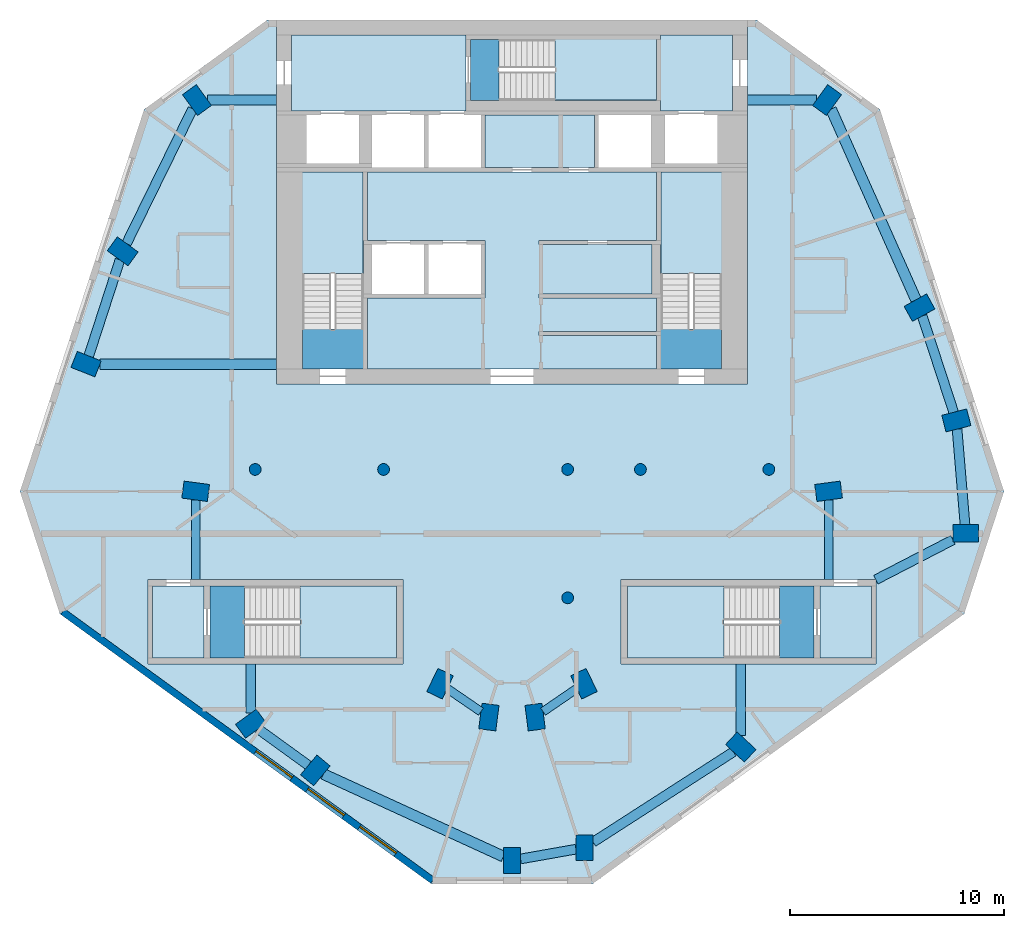
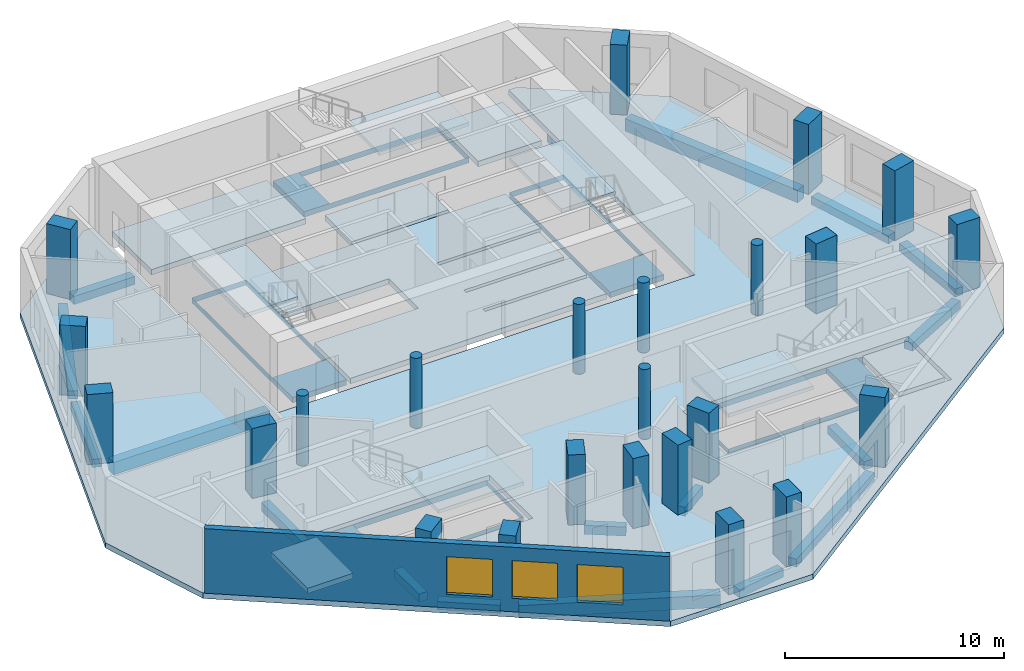
# One storey, part 1 of 8: 24 columns, 19 beams, 17 slabs, 3 windows, 1 wall, 3 openings, 5 elements without a shape of their own.
"""IFC4 building model written with IfcOpenShell, lengths in metres."""

from ifc_helpers import new_model, si_unit, direction, frame, frame_2d, origin, origin_2d, place, context, subcontext, project, spatial, polyline, rectangle, circle, outline, extrude, material, layer, layer_set, material_profile, profile_set, type_object, element, fill, aggregate, save


model = new_model("IFC4")

# Units and contexts
model_context = context("Model", 3, precision=1e-05, world=origin(), true_north=direction((0.0, 1.0)))
body_context = subcontext(model_context, "Body", "Model", "MODEL_VIEW")
ifc_project = project(units=[si_unit("LENGTHUNIT", "METRE"), si_unit("AREAUNIT", "SQUARE_METRE"), si_unit("VOLUMEUNIT", "CUBIC_METRE"), si_unit("PLANEANGLEUNIT", "RADIAN"), si_unit("MASSUNIT", "GRAM", prefix="KILO")], contexts=[model_context])

# Site, building, storey
site_placement = place(None, origin())
site = spatial("IfcSite", under=ifc_project, at=site_placement, CompositionType="ELEMENT")
building_placement = place(site_placement, origin())
building = spatial("IfcBuilding", under=site, at=building_placement, Name="White Candle Pilgrim Tower", CompositionType="ELEMENT")
storey_placement = place(building_placement, frame((0.0, 0.0, 291.199951171875)))
storey = spatial("IfcBuildingStorey", under=building, at=storey_placement, Name="L69", CompositionType="ELEMENT", Elevation=291.199951171875)

# Columns
ifc_material_1 = material(Name="Concrete C60/75", Category="concrete")
ifc_material_profile_1 = material_profile(ifc_material_1, circle(Radius=0.27490234375, at=origin_2d()), Name="RC-COL D550")
ifc_profile_set_1 = profile_set([ifc_material_profile_1], Name="Concrete C60/75")
column_type_1 = type_object("IfcColumnType", Name="Interior column RC-COL D550 C60/75", PredefinedType="COLUMN", material=ifc_profile_set_1)
for number, where, z_axis, x_axis, name in (
    (1, (58.0, 67.0, 0.0), (0.0, 0.0, 1.0), (1.0, 0.0, 0.0), "L69 column I01"),
    (2, (64.0, 67.0, 0.0), (0.0, 0.0, 1.0), (1.0, 0.0, 0.0), "L69 column I02"),
    (3, (72.60009765625, 61.0, 0.0), (0.0, 0.0, 1.0), (1.0, 0.0, 0.0), "L69 column I03"),
    (4, (72.60009765625, 67.0, 0.0), (0.0, 0.0, 1.0), (1.0, 0.0, 0.0), "L69 column I04"),
    (5, (76.0, 67.0, 0.0), (0.0, 0.0, 1.0), (1.0, 0.0, 0.0), "L69 column I05"),
    (6, (82.0, 67.0, 0.0), (0.0, 0.0, 1.0), (1.0, 0.0, 0.0), "L69 column I06"),
):
    element("IfcColumn", number, at=place(storey_placement, frame(where, z_axis=z_axis, x_axis=x_axis)), inside=storey, type_object=column_type_1, Name=name, PredefinedType="COLUMN", context=body_context, shape_type="SweptSolid", body=[
        extrude(circle(Radius=0.27490234375, at=origin_2d()), origin(), (0.0, 0.0, 1.0), 3.900146484375),
    ])
ifc_material_profile_2 = material_profile(ifc_material_1, rectangle(XDim=0.800048828125, YDim=1.199951171875, at=origin_2d()), Name="RC-PR 800x1200")
ifc_profile_set_2 = profile_set([ifc_material_profile_2], Name="Concrete C60/75")
column_type_2 = type_object("IfcColumnType", Name="Perimeter column RC-PR 800x1200 C60/75", PredefinedType="COLUMN", material=ifc_profile_set_2)
for number, where, z_axis, x_axis, name in (
    (7, (57.800048828125, 55.1201171875, 0.0), (0.0, 0.0, 1.0), (-0.58846280644, 0.808524288711, 0.0), "L69 column T01"),
    (8, (60.81005859375, 52.93994140625, 0.0), (0.0, 0.0, 1.0), (-0.769310358735, 0.638875239733, 0.0), "L69 column T02"),
    (9, (70.0, 48.72998046875, 0.0), (0.0, 0.0, 1.0), (-1.0, 0.0, 0.0), "L69 column T03"),
    (10, (73.389892578125, 49.330078125, 0.0), (0.0, 0.0, 1.0), (-1.0, 0.0, 0.0), "L69 column T04"),
    (11, (80.68994140625, 54.030029296875, 0.0), (0.0, 0.0, 1.0), (-0.681998360062, -0.731353701619, 0.0), "L69 column T05"),
    (12, (91.199951171875, 64.02001953125, 0.0), (0.0, 0.0, 1.0), (0.000855211229, -0.999999634307, 0.0), "L69 column T06"),
    (13, (90.760009765625, 69.2900390625, 0.0), (0.0, 0.0, 1.0), (0.246880623275, -0.969045900797, 0.0), "L69 column T07"),
    (14, (89.0400390625, 74.56005859375, 0.0), (0.0, 0.0, 1.0), (0.484809620246, -0.874619707139, 0.0), "L69 column T08"),
    (15, (84.719970703125, 84.260009765625, 0.0), (0.0, 0.0, 1.0), (0.80902725304, -0.587771132193, 0.0), "L69 column T09"),
    (16, (55.280029296875, 84.260009765625, 0.0), (0.0, 0.0, 1.0), (0.80902725304, 0.587771132193, 0.0), "L69 column T10"),
    (17, (51.81005859375, 77.18994140625, 0.0), (0.0, 0.0, 1.0), (0.587107285614, 0.809509132239, 0.0), "L69 column T11"),
    (18, (50.10009765625, 71.919921875, 0.0), (0.0, 0.0, 1.0), (0.369860269472, 0.929087391512, 0.0), "L69 column T12"),
):
    element("IfcColumn", number, at=place(storey_placement, frame(where, z_axis=z_axis, x_axis=x_axis)), inside=storey, type_object=column_type_2, Name=name, PredefinedType="COLUMN", context=body_context, shape_type="SweptSolid", body=[
        extrude(rectangle(XDim=0.800048828125, YDim=1.199951171875, at=origin_2d()), origin(), (0.0, 0.0, 1.0), 3.900146484375),
    ])
ifc_material_profile_3 = material_profile(ifc_material_1, rectangle(XDim=0.800048828125, YDim=1.199951171875, at=origin_2d()), Name="RC-PR 800x1200")
ifc_profile_set_3 = profile_set([ifc_material_profile_3], Name="Concrete C60/75")
column_type_3 = type_object("IfcColumnType", Name="Ring column RC-PR 800x1200 C60/75", PredefinedType="COLUMN", material=ifc_profile_set_3)
for number, where, z_axis, x_axis, name in (
    (19, (66.639892578125, 56.989990234375, 0.0), (0.0, 0.0, 1.0), (-0.901689191761, 0.43238478403, 0.0), "L69 column R01"),
    (20, (68.919921875, 55.429931640625, 0.0), (0.0, 0.0, 1.0), (-0.992092811428, 0.125506388335, 0.0), "L69 column R02"),
    (21, (71.080078125, 55.429931640625, 0.0), (0.0, 0.0, 1.0), (-0.992092811428, -0.125506388335, 0.0), "L69 column R03"),
    (22, (73.360107421875, 56.989990234375, 0.0), (0.0, 0.0, 1.0), (-0.901689191761, -0.43238478403, 0.0), "L69 column R04"),
    (23, (84.7900390625, 65.97998046875, 0.0), (0.0, 0.0, 1.0), (0.132602381688, -0.991169313675, 0.0), "L69 column R05"),
    (24, (55.219970703125, 65.97998046875, 0.0), (0.0, 0.0, 1.0), (0.132602381688, 0.991169313675, 0.0), "L69 column R06"),
):
    element("IfcColumn", number, at=place(storey_placement, frame(where, z_axis=z_axis, x_axis=x_axis)), inside=storey, type_object=column_type_3, Name=name, PredefinedType="COLUMN", context=body_context, shape_type="SweptSolid", body=[
        extrude(rectangle(XDim=0.800048828125, YDim=1.199951171875, at=origin_2d()), origin(), (0.0, 0.0, 1.0), 3.900146484375),
    ])

# Beams
ifc_material_2 = material(Name="Concrete C50/60", Category="concrete")
ifc_material_profile_4 = material_profile(ifc_material_2, rectangle(XDim=0.39990234375, YDim=0.5, at=origin_2d()), Name="RC-BM 400x500")
ifc_profile_set_4 = profile_set([ifc_material_profile_4], Name="Concrete C50/60")
beam_type_1 = type_object("IfcBeamType", Name="Ring beam RC-BM 400x500 C50/60", PredefinedType="BEAM", material=ifc_profile_set_4)
for number, where, z_axis, x_axis, name in (
    (25, (66.97412109375, 56.761474609375, -0.550048828125), (0.825257044892, -0.564757301729, 0.0), (0.564757301729, 0.825257044892, 0.0), "L69 ring beam R01"),
    (26, (71.451171875, 55.683837890625, -0.550048828125), (0.825257044892, 0.564757301729, 0.0), (-0.564757301729, 0.825257044892, 0.0), "L69 ring beam R02"),
):
    element("IfcBeam", number, at=place(storey_placement, frame(where, z_axis=z_axis, x_axis=x_axis)), inside=storey, type_object=beam_type_1, Name=name, PredefinedType="BEAM", context=body_context, shape_type="SweptSolid", body=[
        extrude(rectangle(XDim=0.39990234375, YDim=0.5, at=origin_2d()), origin(), (0.0, 0.0, 1.0), 1.908203125),
    ])
for number, where, z_axis, x_axis, name in (
    (27, (84.7900390625, 65.576416015625, -0.550048828125), (0.0, -1.0, 0.0), (1.0, 0.0, 0.0), "L69 ring beam R03"),
    (28, (55.219970703125, 65.576416015625, -0.550048828125), (0.0, -1.0, 0.0), (1.0, 0.0, 0.0), "L69 ring beam R04"),
):
    element("IfcBeam", number, at=place(storey_placement, frame(where, z_axis=z_axis, x_axis=x_axis)), inside=storey, type_object=beam_type_1, Name=name, PredefinedType="BEAM", context=body_context, shape_type="SweptSolid", body=[
        extrude(rectangle(XDim=0.39990234375, YDim=0.5, at=origin_2d()), origin(), (0.0, 0.0, 1.0), 3.726318359375),
    ])
ifc_material_profile_5 = material_profile(ifc_material_2, rectangle(XDim=0.449951171875, YDim=0.449951171875, at=origin_2d()), Name="RC-BM 450x450")
ifc_profile_set_5 = profile_set([ifc_material_profile_5], Name="Concrete C50/60")
beam_type_2 = type_object("IfcBeamType", Name="Spandrel beam RC-BM 450x450 C50/60", PredefinedType="BEAM", material=ifc_profile_set_5)
beam_1_placement = place(storey_placement, frame((58.140625, 54.873291015625, -0.52490234375), z_axis=(0.809886863982, -0.586586112647, 0.0), x_axis=(0.586586112647, 0.809886863982, 0.0)))
element("IfcBeam", 29, at=beam_1_placement, inside=storey, type_object=beam_type_2, Name="L69 spandrel beam T01", PredefinedType="BEAM", context=body_context, shape_type="SweptSolid", body=[
    extrude(rectangle(XDim=0.449951171875, YDim=0.449951171875, at=origin_2d()), origin(), (0.0, 0.0, 1.0), 2.89501953125),
])
beam_2_placement = place(storey_placement, frame((70.39990234375, 48.80078125, -0.52490234375), z_axis=(0.984690914207, 0.174309504843, 0.0), x_axis=(-0.174309504843, 0.984690914207, 0.0)))
element("IfcBeam", 30, at=beam_2_placement, inside=storey, type_object=beam_type_2, Name="L69 spandrel beam T03", PredefinedType="BEAM", context=body_context, shape_type="SweptSolid", body=[
    extrude(rectangle(XDim=0.449951171875, YDim=0.449951171875, at=origin_2d()), origin(), (0.0, 0.0, 1.0), 2.63037109375),
])
beam_3_placement = place(storey_placement, frame((73.7900390625, 49.58740234375, -0.52490234375), z_axis=(0.840792523654, 0.541357490175, 0.0), x_axis=(-0.541357490175, 0.840792523654, 0.0)))
element("IfcBeam", 31, at=beam_3_placement, inside=storey, type_object=beam_type_2, Name="L69 spandrel beam T04", PredefinedType="BEAM", context=body_context, shape_type="SweptSolid", body=[
    extrude(rectangle(XDim=0.449951171875, YDim=0.449951171875, at=origin_2d()), origin(), (0.0, 0.0, 1.0), 7.793701171875),
])
beam_4_placement = place(storey_placement, frame((80.68994140625, 54.576904296875, -0.52490234375), z_axis=(0.0, 1.0, 0.0), x_axis=(-1.0, 0.0, 0.0)))
element("IfcBeam", 32, at=beam_4_placement, inside=storey, type_object=beam_type_2, Name="L69 spandrel beam T05", PredefinedType="BEAM", context=body_context, shape_type="SweptSolid", body=[
    extrude(rectangle(XDim=0.449951171875, YDim=0.449951171875, at=origin_2d()), origin(), (0.0, 0.0, 1.0), 3.322998046875),
])
beam_5_placement = place(storey_placement, frame((90.600341796875, 63.710205078125, -0.52490234375), z_axis=(-0.888432867753, -0.459006578925, 0.0), x_axis=(0.459006578925, -0.888432867753, 0.0)))
element("IfcBeam", 33, at=beam_5_placement, inside=storey, type_object=beam_type_2, Name="L69 spandrel beam T06", PredefinedType="BEAM", context=body_context, shape_type="SweptSolid", body=[
    extrude(rectangle(XDim=0.449951171875, YDim=0.449951171875, at=origin_2d()), origin(), (0.0, 0.0, 1.0), 4.052490234375),
])
beam_6_placement = place(storey_placement, frame((91.16650390625, 64.419921875, -0.52490234375), z_axis=(-0.083189754962, 0.996533724803, 0.0), x_axis=(-0.996533724803, -0.083189754962, 0.0)))
element("IfcBeam", 34, at=beam_6_placement, inside=storey, type_object=beam_type_2, Name="L69 spandrel beam T07", PredefinedType="BEAM", context=body_context, shape_type="SweptSolid", body=[
    extrude(rectangle(XDim=0.449951171875, YDim=0.449951171875, at=origin_2d()), origin(), (0.0, 0.0, 1.0), 4.4814453125),
])
beam_7_placement = place(storey_placement, frame((90.635498046875, 69.671142578125, -0.52490234375), z_axis=(-0.310235376741, 0.950659776691, 0.0), x_axis=(-0.950659776691, -0.310235376741, 0.0)))
element("IfcBeam", 35, at=beam_7_placement, inside=storey, type_object=beam_type_2, Name="L69 spandrel beam T08", PredefinedType="BEAM", context=body_context, shape_type="SweptSolid", body=[
    extrude(rectangle(XDim=0.449951171875, YDim=0.449951171875, at=origin_2d()), origin(), (0.0, 0.0, 1.0), 4.735107421875),
])
for number, where, z_axis, x_axis, name in (
    (36, (84.2255859375, 84.260009765625, -0.52490234375), (-1.0, 0.0, 0.0), (0.0, -1.0, 0.0), "L69 spandrel beam T10"),
    (37, (55.7744140625, 84.260009765625, -0.52490234375), (1.0, 0.0, 0.0), (0.0, 1.0, 0.0), "L69 spandrel beam T11"),
):
    element("IfcBeam", number, at=place(storey_placement, frame(where, z_axis=z_axis, x_axis=x_axis)), inside=storey, type_object=beam_type_2, Name=name, PredefinedType="BEAM", context=body_context, shape_type="SweptSolid", body=[
        extrude(rectangle(XDim=0.449951171875, YDim=0.449951171875, at=origin_2d()), origin(), (0.0, 0.0, 1.0), 3.2255859375),
    ])
beam_8_placement = place(storey_placement, frame((55.080810546875, 83.853759765625, -0.52490234375), z_axis=(-0.440604884501, -0.897701139441, 0.0), x_axis=(0.897701139441, -0.440604884501, 0.0)))
element("IfcBeam", 38, at=beam_8_placement, inside=storey, type_object=beam_type_2, Name="L69 spandrel beam T12", PredefinedType="BEAM", context=body_context, shape_type="SweptSolid", body=[
    extrude(rectangle(XDim=0.449951171875, YDim=0.449951171875, at=origin_2d()), origin(), (0.0, 0.0, 1.0), 7.01708984375),
])
beam_9_placement = place(storey_placement, frame((51.68017578125, 76.7900390625, -0.52490234375), z_axis=(-0.308643859688, -0.95117767419, 0.0), x_axis=(0.95117767419, -0.308643859688, 0.0)))
element("IfcBeam", 39, at=beam_9_placement, inside=storey, type_object=beam_type_2, Name="L69 spandrel beam T13", PredefinedType="BEAM", context=body_context, shape_type="SweptSolid", body=[
    extrude(rectangle(XDim=0.449951171875, YDim=0.449951171875, at=origin_2d()), origin(), (0.0, 0.0, 1.0), 4.71923828125),
])
beam_10_placement = place(storey_placement, frame((57.800048828125, 55.61474609375, -0.52490234375), z_axis=(0.0, 1.0, 0.0), x_axis=(-1.0, 0.0, 0.0)))
element("IfcBeam", 40, at=beam_10_placement, inside=storey, type_object=beam_type_2, Name="L69 spandrel beam T15", PredefinedType="BEAM", context=body_context, shape_type="SweptSolid", body=[
    extrude(rectangle(XDim=0.449951171875, YDim=0.449951171875, at=origin_2d()), origin(), (0.0, 0.0, 1.0), 2.28515625),
])
ifc_material_profile_6 = material_profile(ifc_material_2, rectangle(XDim=0.5, YDim=0.699951171875, at=origin_2d()), Name="RC-BM 500x700")
ifc_profile_set_6 = profile_set([ifc_material_profile_6], Name="Concrete C50/60")
beam_type_3 = type_object("IfcBeamType", Name="Spandrel beam RC-BM 500x700 C50/60", PredefinedType="BEAM", material=ifc_profile_set_6)
beam_11_placement = place(storey_placement, frame((61.186767578125, 52.767578125, -0.64990234375), z_axis=(0.90913101106, -0.416510269656, 0.0), x_axis=(0.416510269656, 0.90913101106, 0.0)))
element("IfcBeam", 41, at=beam_11_placement, inside=storey, type_object=beam_type_3, Name="L69 spandrel beam T02", PredefinedType="BEAM", context=body_context, shape_type="SweptSolid", body=[
    extrude(rectangle(XDim=0.5, YDim=0.699951171875, at=origin_2d()), origin(), (0.0, 0.0, 1.0), 9.254150390625),
])
beam_12_placement = place(storey_placement, frame((88.876708984375, 74.9267578125, -0.64990234375), z_axis=(-0.406834969126, 0.913501673724, 0.0), x_axis=(-0.913501673724, -0.406834969126, 0.0)))
element("IfcBeam", 42, at=beam_12_placement, inside=storey, type_object=beam_type_3, Name="L69 spandrel beam T09", PredefinedType="BEAM", context=body_context, shape_type="SweptSolid", body=[
    extrude(rectangle(XDim=0.5, YDim=0.699951171875, at=origin_2d()), origin(), (0.0, 0.0, 1.0), 9.755126953125),
])
beam_13_placement = place(storey_placement, frame((50.745849609375, 71.919921875, -0.64990234375), z_axis=(1.0, 0.0, 0.0), x_axis=(0.0, 1.0, 0.0)))
element("IfcBeam", 43, at=beam_13_placement, inside=storey, type_object=beam_type_3, Name="L69 spandrel beam T14", PredefinedType="BEAM", context=body_context, shape_type="SweptSolid", body=[
    extrude(rectangle(XDim=0.5, YDim=0.699951171875, at=origin_2d()), origin(), (0.0, 0.0, 1.0), 8.254150390625),
])

# Slabs
ifc_material_3 = material(Name="Concrete C40/50", Category="concrete")
ifc_layer_1 = layer(ifc_material_3, 0.300048828125)
ifc_layer_set_1 = layer_set([ifc_layer_1], Name="Core floor slab 300 mm Concrete C40/50")
slab_type_1 = type_object("IfcSlabType", Name="Core floor slab 300 mm Concrete C40/50", PredefinedType="FLOOR", material=ifc_layer_set_1)
slab_1_placement = place(storey_placement, frame((0.0, 0.0, -0.300048828125)))
element("IfcSlab", 44, at=slab_1_placement, inside=storey, type_object=slab_type_1, Name="CF-L69-01", PredefinedType="FLOOR", context=body_context, shape_type="SweptSolid", body=[
    extrude(outline(polyline([(55.60009765625, 58.199951171875), (53.199951171875, 58.199951171875), (53.199951171875, 61.550048828125), (55.60009765625, 61.550048828125), (55.60009765625, 58.199951171875)])), origin(), (0.0, 0.0, 1.0), 0.300048828125),
])
slab_2_placement = place(storey_placement, frame((0.0, 0.0, -0.300048828125)))
element("IfcSlab", 45, at=slab_2_placement, inside=storey, type_object=slab_type_1, Name="CF-L69-02", PredefinedType="FLOOR", context=body_context, shape_type="SweptSolid", body=[
    extrude(outline(polyline([(55.89990234375, 58.199951171875), (55.89990234375, 61.550048828125), (64.60009765625, 61.550048828125), (64.60009765625, 58.199951171875), (55.89990234375, 58.199951171875)]), holes=[polyline([(57.501953125, 61.548095703125), (57.501953125, 58.201904296875), (64.597900390625, 58.201904296875), (64.597900390625, 61.548095703125), (57.501953125, 61.548095703125)])]), origin(), (0.0, 0.0, 1.0), 0.300048828125),
])
slab_3_placement = place(storey_placement, frame((0.0, 0.0, -0.300048828125)))
element("IfcSlab", 46, at=slab_3_placement, inside=storey, type_object=slab_type_1, Name="CF-L69-03", PredefinedType="FLOOR", context=body_context, shape_type="SweptSolid", body=[
    extrude(outline(polyline([(75.39990234375, 58.199951171875), (75.39990234375, 61.550048828125), (84.10009765625, 61.550048828125), (84.10009765625, 58.199951171875), (75.39990234375, 58.199951171875)]), holes=[polyline([(82.498046875, 61.548095703125), (75.402099609375, 61.548095703125), (75.402099609375, 58.201904296875), (82.498046875, 58.201904296875), (82.498046875, 61.548095703125)])]), origin(), (0.0, 0.0, 1.0), 0.300048828125),
])
slab_4_placement = place(storey_placement, frame((0.0, 0.0, -0.300048828125)))
element("IfcSlab", 47, at=slab_4_placement, inside=storey, type_object=slab_type_1, Name="CF-L69-04", PredefinedType="FLOOR", context=body_context, shape_type="SweptSolid", body=[
    extrude(outline(polyline([(86.800048828125, 58.199951171875), (84.39990234375, 58.199951171875), (84.39990234375, 61.550048828125), (86.800048828125, 61.550048828125), (86.800048828125, 58.199951171875)])), origin(), (0.0, 0.0, 1.0), 0.300048828125),
])
slab_5_placement = place(storey_placement, frame((0.0, 0.0, -0.300048828125)))
element("IfcSlab", 48, at=slab_5_placement, inside=storey, type_object=slab_type_1, Name="CF-L69-05", PredefinedType="FLOOR", context=body_context, shape_type="SweptSolid", body=[
    extrude(outline(polyline([(76.949951171875, 71.699951171875), (76.949951171875, 73.25), (76.949951171875, 73.449951171875), (76.949951171875, 75.0), (76.949951171875, 75.199951171875), (76.949951171875, 77.5), (76.949951171875, 77.699951171875), (76.949951171875, 80.89990234375), (79.800048828125, 80.89990234375), (79.800048828125, 71.699951171875), (76.949951171875, 71.699951171875)]), holes=[polyline([(76.951904296875, 73.552001953125), (79.798095703125, 73.552001953125), (79.798095703125, 80.89794921875), (76.951904296875, 80.89794921875), (76.951904296875, 73.552001953125)])]), origin(), (0.0, 0.0, 1.0), 0.300048828125),
])
slab_6_placement = place(storey_placement, frame((0.0, 0.0, -0.300048828125)))
element("IfcSlab", 49, at=slab_6_placement, inside=storey, type_object=slab_type_1, Name="CF-L69-06", PredefinedType="FLOOR", context=body_context, shape_type="SweptSolid", body=[
    extrude(outline(polyline([(63.25, 71.699951171875), (63.25, 75.0), (68.75, 75.0), (68.75, 75.199951171875), (68.75, 77.5), (68.75, 77.699951171875), (63.25, 77.699951171875), (63.25, 80.89990234375), (76.75, 80.89990234375), (76.75, 77.699951171875), (71.25, 77.699951171875), (71.25, 77.5), (76.550048828125, 77.5), (76.550048828125, 75.199951171875), (71.25, 75.199951171875), (71.25, 75.0), (76.75, 75.0), (76.75, 73.449951171875), (71.25, 73.449951171875), (71.25, 73.25), (76.75, 73.25), (76.75, 71.699951171875), (63.25, 71.699951171875)])), origin(), (0.0, 0.0, 1.0), 0.300048828125),
])
slab_7_placement = place(storey_placement, frame((0.0, 0.0, -0.300048828125)))
element("IfcSlab", 50, at=slab_7_placement, inside=storey, type_object=slab_type_1, Name="CF-L69-07", PredefinedType="FLOOR", context=body_context, shape_type="SweptSolid", body=[
    extrude(outline(polyline([(60.199951171875, 71.699951171875), (60.199951171875, 80.89990234375), (63.050048828125, 80.89990234375), (63.050048828125, 77.699951171875), (63.050048828125, 77.5), (63.050048828125, 75.199951171875), (63.050048828125, 75.0), (63.050048828125, 71.699951171875), (60.199951171875, 71.699951171875)]), holes=[polyline([(60.201904296875, 73.552001953125), (63.048095703125, 73.552001953125), (63.048095703125, 80.89794921875), (60.201904296875, 80.89794921875), (60.201904296875, 73.552001953125)])]), origin(), (0.0, 0.0, 1.0), 0.300048828125),
])
slab_8_placement = place(storey_placement, frame((0.0, 0.0, -0.300048828125)))
element("IfcSlab", 51, at=slab_8_placement, inside=storey, type_object=slab_type_1, Name="CF-L69-08", PredefinedType="FLOOR", context=body_context, shape_type="SweptSolid", body=[
    extrude(outline(polyline([(59.699951171875, 87.300048828125), (67.85009765625, 87.300048828125), (67.85009765625, 87.10009765625), (67.85009765625, 84.25), (67.85009765625, 83.75), (59.699951171875, 83.75), (59.699951171875, 87.300048828125)])), origin(), (0.0, 0.0, 1.0), 0.300048828125),
])
slab_9_placement = place(storey_placement, frame((0.0, 0.0, -0.300048828125)))
element("IfcSlab", 52, at=slab_9_placement, inside=storey, type_object=slab_type_1, Name="CF-L69-09", PredefinedType="FLOOR", context=body_context, shape_type="SweptSolid", body=[
    extrude(outline(polyline([(80.300048828125, 87.300048828125), (80.300048828125, 83.75), (76.949951171875, 83.75), (76.949951171875, 84.25), (76.949951171875, 87.10009765625), (76.949951171875, 87.300048828125), (80.300048828125, 87.300048828125)])), origin(), (0.0, 0.0, 1.0), 0.300048828125),
])
slab_10_placement = place(storey_placement, frame((0.0, 0.0, -0.300048828125)))
element("IfcSlab", 53, at=slab_10_placement, inside=storey, type_object=slab_type_1, Name="CF-L69-10", PredefinedType="FLOOR", context=body_context, shape_type="SweptSolid", body=[
    extrude(outline(polyline([(68.75, 81.10009765625), (68.75, 83.550048828125), (73.85009765625, 83.550048828125), (73.85009765625, 81.10009765625), (68.75, 81.10009765625)])), origin(), (0.0, 0.0, 1.0), 0.300048828125),
])
slab_11_placement = place(storey_placement, frame((0.0, 0.0, -0.300048828125)))
element("IfcSlab", 54, at=slab_11_placement, inside=storey, type_object=slab_type_1, Name="CF-L69-11", PredefinedType="FLOOR", context=body_context, shape_type="SweptSolid", body=[
    extrude(outline(polyline([(68.050048828125, 87.10009765625), (76.75, 87.10009765625), (76.75, 84.25), (68.050048828125, 84.25), (68.050048828125, 87.10009765625)]), holes=[polyline([(69.402099609375, 84.251953125), (76.748046875, 84.251953125), (76.748046875, 87.097900390625), (69.402099609375, 87.097900390625), (69.402099609375, 84.251953125)])]), origin(), (0.0, 0.0, 1.0), 0.300048828125),
])
ifc_layer_2 = layer(ifc_material_3, 0.300048828125)
ifc_layer_set_2 = layer_set([ifc_layer_2], Name="Floor slab 300 REI 120")
slab_type_2 = type_object("IfcSlabType", Name="Floor slab 300 REI 120", PredefinedType="FLOOR", material=ifc_layer_set_2)
slab_12_placement = place(storey_placement, frame((0.0, 0.0, -0.300048828125)))
element("IfcSlab", 55, at=slab_12_placement, inside=storey, type_object=slab_type_2, Name="L69 floor slab", PredefinedType="FLOOR", context=body_context, shape_type="SweptSolid", body=[
    extrude(outline(polyline([(66.242919921875, 47.6337890625), (73.757080078125, 47.6337890625), (91.129638671875, 60.255859375), (92.98779296875, 65.974853515625), (87.189453125, 83.82080078125), (81.43701171875, 88.0), (81.0, 88.0), (81.0, 71.0), (59.0, 71.0), (59.0, 88.0), (58.56298828125, 88.0), (52.810546875, 83.82080078125), (47.01220703125, 65.974853515625), (48.870361328125, 60.255859375), (66.242919921875, 47.6337890625)]), holes=[polyline([(53.0, 57.89990234375), (53.0, 61.85009765625), (64.89990234375, 61.85009765625), (64.89990234375, 57.89990234375), (53.0, 57.89990234375)]), polyline([(75.10009765625, 57.89990234375), (75.10009765625, 61.85009765625), (87.0, 61.85009765625), (87.0, 57.89990234375), (75.10009765625, 57.89990234375)])]), origin(), (0.0, 0.0, 1.0), 0.300048828125),
])

# Stair, slab
stair_type_1 = type_object("IfcStairType", Name="Exit stair 1 flight width 1350 mm", PredefinedType="HALF_TURN_STAIR", material=ifc_material_3)
stair_1_placement = place(storey_placement, origin())
stair_1 = element("IfcStair", 56, at=stair_1_placement, inside=storey, type_object=stair_type_1, Name="L69 stair 1", PredefinedType="NOTDEFINED")
ifc_layer_3 = layer(ifc_material_3, 0.199951171875)
ifc_layer_set_3 = layer_set([ifc_layer_3], Name="Stair landing Concrete C40/50")
slab_type_3 = type_object("IfcSlabType", Name="Stair landing Concrete C40/50", PredefinedType="LANDING", material=ifc_layer_set_3)
slab_13_placement = place(storey_placement, frame((0.0, 0.0, 1.75)))
slab_13 = element("IfcSlab", 57, at=slab_13_placement, type_object=slab_type_3, Name="ST1 landing 1", PredefinedType="LANDING", context=body_context, shape_type="SweptSolid", body=[
    extrude(outline(polyline([(63.052001953125, 76.14794921875), (60.197998046875, 76.14794921875), (60.197998046875, 80.902099609375), (63.052001953125, 80.902099609375), (63.052001953125, 76.14794921875)])), origin(), (0.0, 0.0, 1.0), 0.199951171875),
])
aggregate(stair_1, [slab_13])

stair_type_2 = type_object("IfcStairType", Name="Exit stair 2 flight width 1350 mm", PredefinedType="HALF_TURN_STAIR", material=ifc_material_3)
stair_2_placement = place(storey_placement, origin())
stair_2 = element("IfcStair", 58, at=stair_2_placement, inside=storey, type_object=stair_type_2, Name="L69 stair 2", PredefinedType="NOTDEFINED")
slab_14_placement = place(storey_placement, frame((0.0, 0.0, 1.75)))
slab_14 = element("IfcSlab", 59, at=slab_14_placement, type_object=slab_type_3, Name="ST2 landing 1", PredefinedType="LANDING", context=body_context, shape_type="SweptSolid", body=[
    extrude(outline(polyline([(79.802001953125, 76.14794921875), (76.947998046875, 76.14794921875), (76.947998046875, 80.902099609375), (79.802001953125, 80.902099609375), (79.802001953125, 76.14794921875)])), origin(), (0.0, 0.0, 1.0), 0.199951171875),
])
aggregate(stair_2, [slab_14])

stair_type_3 = type_object("IfcStairType", Name="Exit stair 3 flight width 1350 mm", PredefinedType="HALF_TURN_STAIR", material=ifc_material_3)
stair_3_placement = place(storey_placement, origin())
stair_3 = element("IfcStair", 60, at=stair_3_placement, inside=storey, type_object=stair_type_3, Name="L69 stair 3", PredefinedType="NOTDEFINED")
slab_15_placement = place(storey_placement, frame((0.0, 0.0, 1.75)))
slab_15 = element("IfcSlab", 61, at=slab_15_placement, type_object=slab_type_3, Name="ST3 landing 1", PredefinedType="LANDING", context=body_context, shape_type="SweptSolid", body=[
    extrude(outline(polyline([(71.998046875, 84.248046875), (71.998046875, 87.10205078125), (76.751953125, 87.10205078125), (76.751953125, 84.248046875), (71.998046875, 84.248046875)])), origin(), (0.0, 0.0, 1.0), 0.199951171875),
])
aggregate(stair_3, [slab_15])

stair_type_4 = type_object("IfcStairType", Name="Exit stair 4 flight width 1600 mm", PredefinedType="HALF_TURN_STAIR", material=ifc_material_3)
stair_4_placement = place(storey_placement, origin())
stair_4 = element("IfcStair", 62, at=stair_4_placement, inside=storey, type_object=stair_type_4, Name="L69 stair 4", PredefinedType="NOTDEFINED")
slab_16_placement = place(storey_placement, frame((0.0, 0.0, 1.75)))
slab_16 = element("IfcSlab", 63, at=slab_16_placement, type_object=slab_type_3, Name="ST4 landing 1", PredefinedType="LANDING", context=body_context, shape_type="SweptSolid", body=[
    extrude(outline(polyline([(79.902099609375, 61.552001953125), (79.902099609375, 58.197998046875), (75.39794921875, 58.197998046875), (75.39794921875, 61.552001953125), (79.902099609375, 61.552001953125)])), origin(), (0.0, 0.0, 1.0), 0.199951171875),
])
aggregate(stair_4, [slab_16])

stair_type_5 = type_object("IfcStairType", Name="Exit stair 5 flight width 1600 mm", PredefinedType="HALF_TURN_STAIR", material=ifc_material_3)
stair_5_placement = place(storey_placement, origin())
stair_5 = element("IfcStair", 64, at=stair_5_placement, inside=storey, type_object=stair_type_5, Name="L69 stair 5", PredefinedType="NOTDEFINED")
slab_17_placement = place(storey_placement, frame((0.0, 0.0, 1.75)))
slab_17 = element("IfcSlab", 65, at=slab_17_placement, type_object=slab_type_3, Name="ST5 landing 1", PredefinedType="LANDING", context=body_context, shape_type="SweptSolid", body=[
    extrude(outline(polyline([(60.097900390625, 58.197998046875), (60.097900390625, 61.552001953125), (64.60205078125, 61.552001953125), (64.60205078125, 58.197998046875), (60.097900390625, 58.197998046875)])), origin(), (0.0, 0.0, 1.0), 0.199951171875),
])
aggregate(stair_5, [slab_17])

# Wall, openings, windows
ifc_material_4 = material(Name="Precast concrete C40/50", Category="concrete")
ifc_layer_4 = layer(ifc_material_4, 0.320068359375)
ifc_layer_set_4 = layer_set([ifc_layer_4], Name="Facade wall EW1 precast concrete C40/50 pier wall with timber-lined reveals")
wall_type = type_object("IfcWallType", Name="Facade wall EW1 precast concrete C40/50 pier wall with timber-lined reveals", PredefinedType="SOLIDWALL", material=ifc_layer_set_4)
wall_placement = place(storey_placement, frame((49.00634765625, 60.354736328125, 0.0), z_axis=(0.0, 0.0, 1.0), x_axis=(0.809019072803, -0.58778239157, 0.0)))
wall = element("IfcWall", 66, at=wall_placement, inside=storey, type_object=wall_type, Name="Facade wall L69 SW", PredefinedType="SOLIDWALL", context=body_context, shape_type="SweptSolid", body=[
    extrude(rectangle(XDim=21.369873046875, YDim=0.320068359375, at=frame_2d((10.68505859375, 0.0))), origin(), (0.0, 0.0, 1.0), 3.60009765625),
])
opening_1_placement = place(wall_placement, frame((11.135009765625, 0.0, 0.75)))
opening_1 = element("IfcOpeningElement", 67, at=opening_1_placement, cuts=wall, Name="Opening W3", PredefinedType="OPENING", context=body_context, shape_type="SweptSolid", body=[
    extrude(rectangle(XDim=2.10009765625, YDim=2.10009765625, at=frame_2d((1.050048828125, 1.050048828125))), frame((0.0, 0.169921875, 0.0), z_axis=(0.0, -1.0, 0.0), x_axis=(1.0, 0.0, 0.0)), (0.0, 0.0, 1.0), 0.340087890625),
])
opening_2_placement = place(wall_placement, frame((14.135009765625, 0.0, 0.75)))
opening_2 = element("IfcOpeningElement", 68, at=opening_2_placement, cuts=wall, Name="Opening W3", PredefinedType="OPENING", context=body_context, shape_type="SweptSolid", body=[
    extrude(rectangle(XDim=2.10009765625, YDim=2.10009765625, at=frame_2d((1.050048828125, 1.050048828125))), frame((0.0, 0.169921875, 0.0), z_axis=(0.0, -1.0, 0.0), x_axis=(1.0, 0.0, 0.0)), (0.0, 0.0, 1.0), 0.340087890625),
])
opening_3_placement = place(wall_placement, frame((17.135009765625, 0.0, 0.75)))
opening_3 = element("IfcOpeningElement", 69, at=opening_3_placement, cuts=wall, Name="Opening W3", PredefinedType="OPENING", context=body_context, shape_type="SweptSolid", body=[
    extrude(rectangle(XDim=2.10009765625, YDim=2.10009765625, at=frame_2d((1.050048828125, 1.050048828125))), frame((0.0, 0.169921875, 0.0), z_axis=(0.0, -1.0, 0.0), x_axis=(1.0, 0.0, 0.0)), (0.0, 0.0, 1.0), 0.340087890625),
])
ifc_material_5 = material(Name="Timber frame with triple glazing", Category="wood")
window_type = type_object("IfcWindowType", Name="Window W3 2100x2100 timber frame triple glazing", PartitioningType="SINGLE_PANEL", PredefinedType="WINDOW", material=ifc_material_5)
window_1_placement = place(opening_1_placement, origin())
window_1 = element("IfcWindow", 70, at=window_1_placement, inside=storey, type_object=window_type, Name="Window W3 L69 SW 4", OverallHeight=2.10009765625, OverallWidth=2.10009765625, PartitioningType="SINGLE_PANEL", PredefinedType="WINDOW", context=body_context, shape_type="SweptSolid", body=[
    extrude(rectangle(XDim=2.10009765625, YDim=2.10009765625, at=frame_2d((1.050048828125, 1.050048828125))), frame((0.0, 0.070068359375, 0.0), z_axis=(0.0, -1.0, 0.0), x_axis=(1.0, 0.0, 0.0)), (0.0, 0.0, 1.0), 0.06005859375),
])
fill(opening_1, window_1)
window_2_placement = place(opening_2_placement, origin())
window_2 = element("IfcWindow", 71, at=window_2_placement, inside=storey, type_object=window_type, Name="Window W3 L69 SW 5", OverallHeight=2.10009765625, OverallWidth=2.10009765625, PartitioningType="SINGLE_PANEL", PredefinedType="WINDOW", context=body_context, shape_type="SweptSolid", body=[
    extrude(rectangle(XDim=2.10009765625, YDim=2.10009765625, at=frame_2d((1.050048828125, 1.050048828125))), frame((0.0, 0.070068359375, 0.0), z_axis=(0.0, -1.0, 0.0), x_axis=(1.0, 0.0, 0.0)), (0.0, 0.0, 1.0), 0.06005859375),
])
fill(opening_2, window_2)
window_3_placement = place(opening_3_placement, origin())
window_3 = element("IfcWindow", 72, at=window_3_placement, inside=storey, type_object=window_type, Name="Window W3 L69 SW 6", OverallHeight=2.10009765625, OverallWidth=2.10009765625, PartitioningType="SINGLE_PANEL", PredefinedType="WINDOW", context=body_context, shape_type="SweptSolid", body=[
    extrude(rectangle(XDim=2.10009765625, YDim=2.10009765625, at=frame_2d((1.050048828125, 1.050048828125))), frame((0.0, 0.070068359375, 0.0), z_axis=(0.0, -1.0, 0.0), x_axis=(1.0, 0.0, 0.0)), (0.0, 0.0, 1.0), 0.06005859375),
])
fill(opening_3, window_3)

save(model, "model.ifc")
